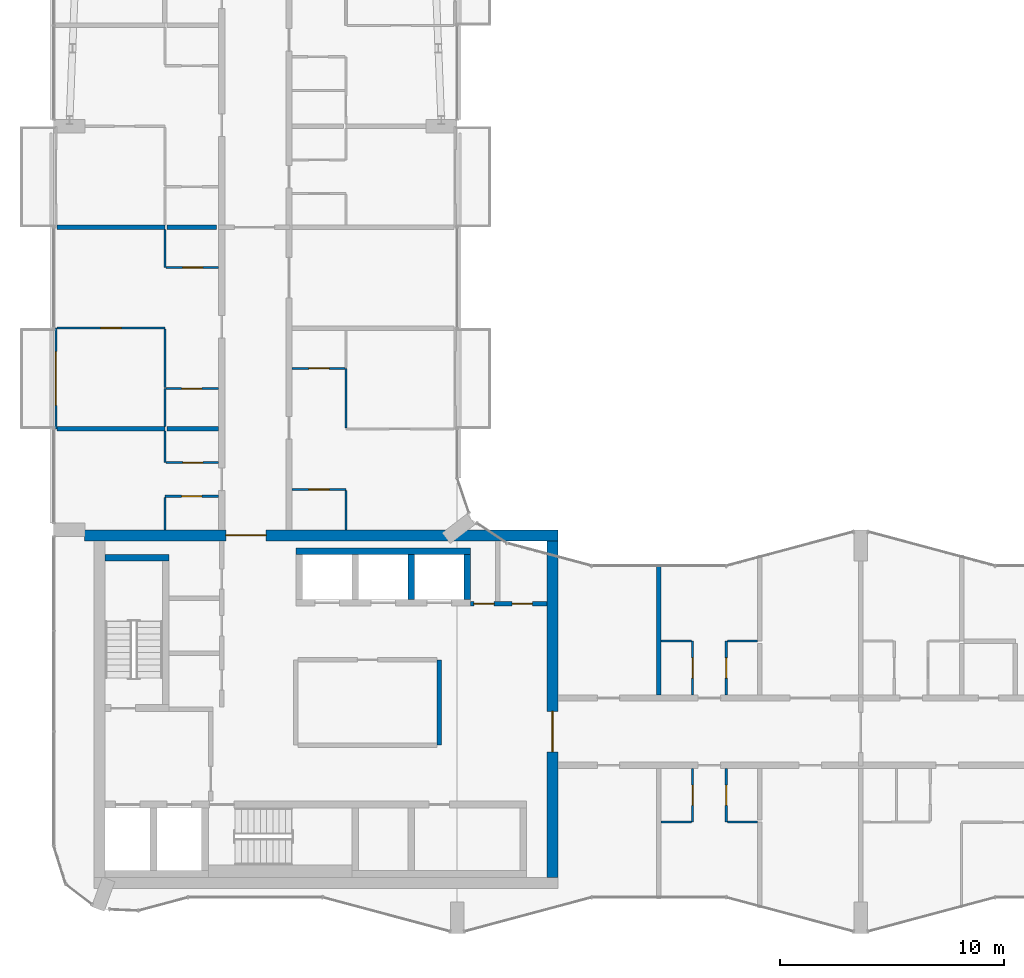
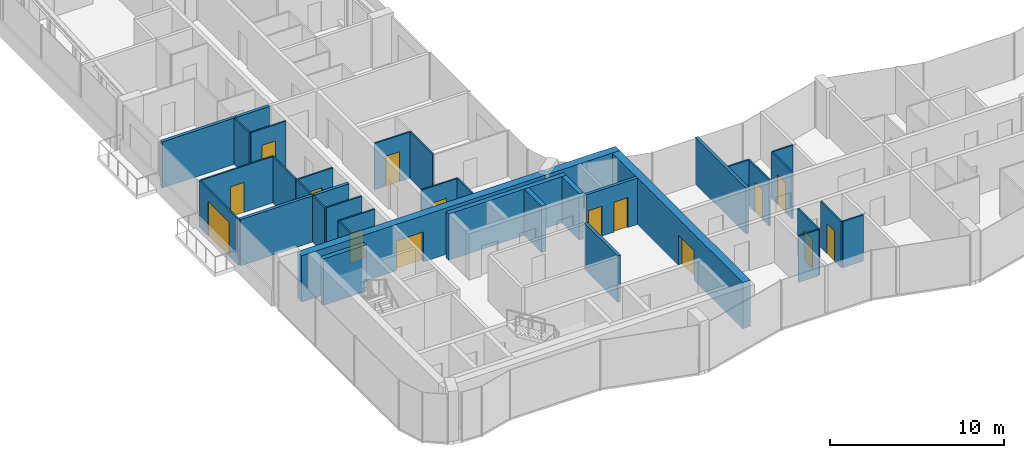
# One storey, part 10 of 17: 36 walls, 16 doors, 16 openings.
"""IFC4 building model written with IfcOpenShell, lengths in metres."""

from ifc_helpers import new_model, si_unit, direction, frame, frame_2d, origin, place, context, subcontext, project, spatial, rectangle, extrude, material, layer, layer_set, type_object, element, fill, save


model = new_model("IFC4")

# Units and contexts
model_context = context("Model", 3, precision=1e-05, world=origin(), true_north=direction((0.0, 1.0)))
body_context = subcontext(model_context, "Body", "Model", "MODEL_VIEW")
ifc_project = project(units=[si_unit("LENGTHUNIT", "METRE"), si_unit("AREAUNIT", "SQUARE_METRE"), si_unit("VOLUMEUNIT", "CUBIC_METRE"), si_unit("PLANEANGLEUNIT", "RADIAN"), si_unit("MASSUNIT", "GRAM", prefix="KILO")], contexts=[model_context])

# Site, building, storey
site_placement = place(None, origin())
site = spatial("IfcSite", under=ifc_project, at=site_placement, CompositionType="ELEMENT")
building_placement = place(site_placement, origin())
building = spatial("IfcBuilding", under=site, at=building_placement, Name="Plateau Cross Towers", CompositionType="ELEMENT")
storey_placement = place(building_placement, frame((0.0, 0.0, 222.39990234375)))
storey = spatial("IfcBuildingStorey", under=building, at=storey_placement, Name="L58", CompositionType="ELEMENT", Elevation=222.39990234375)

# Wall, opening, door
ifc_material_1 = material(Name="Aluminium framed glazing", Category="aluminium")
ifc_layer_1 = layer(ifc_material_1, 0.10009765625)
ifc_layer_set_1 = layer_set([ifc_layer_1], Name="Aluminium framed glazing")
wall_type_1 = type_object("IfcWallType", Name="Balcony screen wall 100", PredefinedType="STANDARD", material=ifc_layer_set_1)
wall_1_placement = place(storey_placement, frame((0.10009765625, 22.5, 0.0), z_axis=(0.0, 0.0, 1.0), x_axis=(0.0, 1.0, 0.0)))
wall_1 = element("IfcWall", 1, at=wall_1_placement, inside=storey, type_object=wall_type_1, Name="Balcony screen wall A-BAL-L58-01", PredefinedType="STANDARD", context=body_context, shape_type="SweptSolid", body=[
    extrude(rectangle(XDim=4.5, YDim=0.10009765625, at=frame_2d((2.25, 0.0))), origin(), (0.0, 0.0, 1.0), 3.25),
])
opening_1_placement = place(wall_1_placement, frame((1.050048828125, 0.0, 0.0)))
opening_1 = element("IfcOpeningElement", 2, at=opening_1_placement, cuts=wall_1, Name="Opening D-B24", PredefinedType="OPENING", context=body_context, shape_type="SweptSolid", body=[
    extrude(rectangle(XDim=2.39990234375, YDim=2.39990234375, at=frame_2d((1.199951171875, 1.199951171875))), frame((0.0, 0.06005859375, 0.0), z_axis=(0.0, -1.0, 0.0), x_axis=(1.0, 0.0, 0.0)), (0.0, 0.0, 1.0), 0.1201171875),
])
ifc_material_2 = material(Name="Aluminium frame, double glazing", Category="aluminium")
door_type_1 = type_object("IfcDoorType", Name="Balcony sliding door 2400", OperationType="NOTDEFINED", PredefinedType="DOOR", material=ifc_material_2)
door_1_placement = place(opening_1_placement, origin())
door_1 = element("IfcDoor", 3, at=door_1_placement, inside=storey, type_object=door_type_1, Name="Balcony door A-BAL-L58-01", OperationType="SINGLE_SWING_LEFT", OverallHeight=2.39990234375, OverallWidth=2.39990234375, PredefinedType="DOOR", context=body_context, shape_type="SweptSolid", body=[
    extrude(rectangle(XDim=2.39990234375, YDim=2.39990234375, at=frame_2d((1.199951171875, 1.199951171875))), frame((0.0, 0.02490234375, 0.0), z_axis=(0.0, -1.0, 0.0), x_axis=(1.0, 0.0, 0.0)), (0.0, 0.0, 1.0), 0.050048828125),
])
fill(opening_1, door_1)

# Wall
ifc_material_3 = material(Name="Concrete block, plastered both sides", Category="concrete")
ifc_layer_2 = layer(ifc_material_3, 0.199951171875)
ifc_layer_set_2 = layer_set([ifc_layer_2], Name="Concrete block, plastered both sides")
wall_type_2 = type_object("IfcWallType", Name="Core partition 200", PredefinedType="PARTITIONING", material=ifc_layer_set_2)
wall_2_placement = place(storey_placement, frame((17.199951171875, 8.39990234375, 0.0), z_axis=(0.0, 0.0, 1.0), x_axis=(0.0, 1.0, 0.0)))
element("IfcWall", 4, at=wall_2_placement, inside=storey, type_object=wall_type_2, Name="Core partition", PredefinedType="PARTITIONING", context=body_context, shape_type="SweptSolid", body=[
    extrude(rectangle(XDim=3.800048828125, YDim=0.199951171875, at=frame_2d((1.89990234375, 0.0))), origin(), (0.0, 0.0, 1.0), 3.25),
])

# Wall, openings, doors
wall_3_placement = place(storey_placement, frame((18.60009765625, 14.699951171875, 0.0), z_axis=(0.0, 0.0, 1.0), x_axis=(1.0, 0.0, 0.0)))
wall_3 = element("IfcWall", 5, at=wall_3_placement, inside=storey, type_object=wall_type_2, Name="Core partition", PredefinedType="PARTITIONING", context=body_context, shape_type="SweptSolid", body=[
    extrude(rectangle(XDim=3.39990234375, YDim=0.199951171875, at=frame_2d((1.699951171875, 0.0))), origin(), (0.0, 0.0, 1.0), 3.25),
])
opening_2_placement = place(wall_3_placement, frame((0.14990234375, 0.0, 0.0)))
opening_2 = element("IfcOpeningElement", 6, at=opening_2_placement, cuts=wall_3, Name="Opening RD2", PredefinedType="OPENING", context=body_context, shape_type="SweptSolid", body=[
    extrude(rectangle(XDim=0.89990234375, YDim=2.10009765625, at=frame_2d((0.449951171875, 1.050048828125))), frame((0.0, 0.10986328125, 0.0), z_axis=(0.0, -1.0, 0.0), x_axis=(1.0, 0.0, 0.0)), (0.0, 0.0, 1.0), 0.219970703125),
])
opening_3_placement = place(wall_3_placement, frame((1.85009765625, 0.0, 0.0)))
opening_3 = element("IfcOpeningElement", 7, at=opening_3_placement, cuts=wall_3, Name="Opening RD2", PredefinedType="OPENING", context=body_context, shape_type="SweptSolid", body=[
    extrude(rectangle(XDim=0.89990234375, YDim=2.10009765625, at=frame_2d((0.449951171875, 1.050048828125))), frame((0.0, 0.10986328125, 0.0), z_axis=(0.0, -1.0, 0.0), x_axis=(1.0, 0.0, 0.0)), (0.0, 0.0, 1.0), 0.219970703125),
])
ifc_material_4 = material(Name="Steel, fire-resisting leaf", Category="steel")
door_type_2 = type_object("IfcDoorType", Name="Core riser door 900", OperationType="NOTDEFINED", PredefinedType="DOOR", material=ifc_material_4)
door_2_placement = place(opening_2_placement, origin())
door_2 = element("IfcDoor", 8, at=door_2_placement, inside=storey, type_object=door_type_2, Name="Core riser door RD2", OperationType="SINGLE_SWING_LEFT", OverallHeight=2.10009765625, OverallWidth=0.89990234375, PredefinedType="DOOR", context=body_context, shape_type="SweptSolid", body=[
    extrude(rectangle(XDim=0.89990234375, YDim=2.10009765625, at=frame_2d((0.449951171875, 1.050048828125))), frame((0.0, 0.02490234375, 0.0), z_axis=(0.0, -1.0, 0.0), x_axis=(1.0, 0.0, 0.0)), (0.0, 0.0, 1.0), 0.050048828125),
])
fill(opening_2, door_2)
door_3_placement = place(opening_3_placement, origin())
door_3 = element("IfcDoor", 9, at=door_3_placement, inside=storey, type_object=door_type_2, Name="Core riser door RD2", OperationType="SINGLE_SWING_LEFT", OverallHeight=2.10009765625, OverallWidth=0.89990234375, PredefinedType="DOOR", context=body_context, shape_type="SweptSolid", body=[
    extrude(rectangle(XDim=0.89990234375, YDim=2.10009765625, at=frame_2d((0.449951171875, 1.050048828125))), frame((0.0, 0.02490234375, 0.0), z_axis=(0.0, -1.0, 0.0), x_axis=(1.0, 0.0, 0.0)), (0.0, 0.0, 1.0), 0.050048828125),
])
fill(opening_3, door_3)

# Walls
ifc_material_5 = material(Name="Concrete C60/75", Category="concrete")
ifc_layer_3 = layer(ifc_material_5, 0.300048828125)
ifc_layer_set_3 = layer_set([ifc_layer_3], Name="Concrete C60/75")
wall_type_3 = type_object("IfcWallType", Name="Core shaft wall 300", PredefinedType="SHEAR", material=ifc_layer_set_3)
wall_4_placement = place(storey_placement, frame((2.300048828125, 16.75, 0.0), z_axis=(0.0, 0.0, 1.0), x_axis=(1.0, 0.0, 0.0)))
element("IfcWall", 10, at=wall_4_placement, inside=storey, type_object=wall_type_3, Name="A-st1-N@L58", PredefinedType="SHEAR", context=body_context, shape_type="SweptSolid", body=[
    extrude(rectangle(XDim=2.849853515625, YDim=0.300048828125, at=frame_2d((1.4248046875, 0.0))), origin(), (0.0, 0.0, 1.0), 3.25),
])
wall_5_placement = place(storey_placement, frame((10.800048828125, 17.050048828125, 0.0), z_axis=(0.0, 0.0, 1.0), x_axis=(1.0, 0.0, 0.0)))
element("IfcWall", 11, at=wall_5_placement, inside=storey, type_object=wall_type_3, Name="A-nb-back@L58", PredefinedType="SHEAR", context=body_context, shape_type="SweptSolid", body=[
    extrude(rectangle(XDim=7.800048828125, YDim=0.300048828125, at=frame_2d((3.89990234375, 0.0))), origin(), (0.0, 0.0, 1.0), 3.25),
])
for number, where, z_axis, x_axis, name in (
    (12, (15.949951171875, 14.89990234375, 0.0), (0.0, 0.0, 1.0), (0.0, 1.0, 0.0), "A-nb-v3@L58"),
    (13, (18.449951171875, 14.89990234375, 0.0), (0.0, 0.0, 1.0), (0.0, 1.0, 0.0), "A-nb-v4@L58"),
):
    element("IfcWall", number, at=place(storey_placement, frame(where, z_axis=z_axis, x_axis=x_axis)), inside=storey, type_object=wall_type_3, Name=name, PredefinedType="SHEAR", context=body_context, shape_type="SweptSolid", body=[
        extrude(rectangle(XDim=2.0, YDim=0.300048828125, at=frame_2d((1.0, 0.0))), origin(), (0.0, 0.0, 1.0), 3.25),
    ])

# Wall, opening, door
ifc_layer_4 = layer(ifc_material_5, 0.5)
ifc_layer_set_4 = layer_set([ifc_layer_4], Name="Concrete C60/75")
wall_type_4 = type_object("IfcWallType", Name="Core shell wall 500", PredefinedType="SHEAR", material=ifc_layer_set_4)
wall_6_placement = place(storey_placement, frame((1.3798828125, 17.75, 0.0), z_axis=(0.0, 0.0, 1.0), x_axis=(1.0, 0.0, 0.0)))
wall_6 = element("IfcWall", 14, at=wall_6_placement, inside=storey, type_object=wall_type_4, Name="A-core-N@L58", PredefinedType="SHEAR", context=body_context, shape_type="SweptSolid", body=[
    extrude(rectangle(XDim=21.1201171875, YDim=0.5, at=frame_2d((10.56005859375, 0.0))), origin(), (0.0, 0.0, 1.0), 3.25),
])
opening_4_placement = place(wall_6_placement, frame((6.300048828125, 0.0, 0.0)))
opening_4 = element("IfcOpeningElement", 15, at=opening_4_placement, cuts=wall_6, Name="Opening CD", PredefinedType="OPENING", context=body_context, shape_type="SweptSolid", body=[
    extrude(rectangle(XDim=1.800048828125, YDim=2.10009765625, at=frame_2d((0.89990234375, 1.050048828125))), frame((0.0, 0.260009765625, 0.0), z_axis=(0.0, -1.0, 0.0), x_axis=(1.0, 0.0, 0.0)), (0.0, 0.0, 1.0), 0.52001953125),
])
ifc_material_6 = material(Name="Steel, fire-resisting leaves", Category="steel")
door_type_3 = type_object("IfcDoorType", Name="Corridor door pair 1800", OperationType="NOTDEFINED", PredefinedType="DOOR", material=ifc_material_6)
door_4_placement = place(opening_4_placement, origin())
door_4 = element("IfcDoor", 16, at=door_4_placement, inside=storey, type_object=door_type_3, Name="Corridor door pair CD", OperationType="DOUBLE_DOOR_SINGLE_SWING", OverallHeight=2.10009765625, OverallWidth=1.800048828125, PredefinedType="DOOR", context=body_context, shape_type="SweptSolid", body=[
    extrude(rectangle(XDim=1.800048828125, YDim=2.10009765625, at=frame_2d((0.89990234375, 1.050048828125))), frame((0.0, 0.02490234375, 0.0), z_axis=(0.0, -1.0, 0.0), x_axis=(1.0, 0.0, 0.0)), (0.0, 0.0, 1.0), 0.050048828125),
])
fill(opening_4, door_4)

wall_7_placement = place(storey_placement, frame((22.25, 2.5, 0.0), z_axis=(0.0, 0.0, 1.0), x_axis=(0.0, 1.0, 0.0)))
wall_7 = element("IfcWall", 17, at=wall_7_placement, inside=storey, type_object=wall_type_4, Name="A-core-E@L58", PredefinedType="SHEAR", context=body_context, shape_type="SweptSolid", body=[
    extrude(rectangle(XDim=15.0, YDim=0.5, at=frame_2d((7.5, 0.0))), origin(), (0.0, 0.0, 1.0), 3.25),
])
opening_5_placement = place(wall_7_placement, frame((5.60009765625, 0.0, 0.0)))
opening_5 = element("IfcOpeningElement", 18, at=opening_5_placement, cuts=wall_7, Name="Opening CD", PredefinedType="OPENING", context=body_context, shape_type="SweptSolid", body=[
    extrude(rectangle(XDim=1.800048828125, YDim=2.10009765625, at=frame_2d((0.89990234375, 1.050048828125))), frame((0.0, 0.260009765625, 0.0), z_axis=(0.0, -1.0, 0.0), x_axis=(1.0, 0.0, 0.0)), (0.0, 0.0, 1.0), 0.52001953125),
])
door_5_placement = place(opening_5_placement, origin())
door_5 = element("IfcDoor", 19, at=door_5_placement, inside=storey, type_object=door_type_3, Name="Corridor door pair CD", OperationType="DOUBLE_DOOR_SINGLE_SWING", OverallHeight=2.10009765625, OverallWidth=1.800048828125, PredefinedType="DOOR", context=body_context, shape_type="SweptSolid", body=[
    extrude(rectangle(XDim=1.800048828125, YDim=2.10009765625, at=frame_2d((0.89990234375, 1.050048828125))), frame((0.0, 0.02490234375, 0.0), z_axis=(0.0, -1.0, 0.0), x_axis=(1.0, 0.0, 0.0)), (0.0, 0.0, 1.0), 0.050048828125),
])
fill(opening_5, door_5)

# Walls
ifc_material_7 = material(Name="Gypsum board on steel studs", Category="steel")
ifc_layer_5 = layer(ifc_material_7, 0.10009765625)
ifc_layer_set_5 = layer_set([ifc_layer_5], Name="Gypsum board on steel studs")
wall_type_5 = type_object("IfcWallType", Name="Flat partition 100", PredefinedType="PARTITIONING", material=ifc_layer_set_5)
for number, where, z_axis, x_axis, name in (
    (20, (27.10009765625, 4.96240234375, 0.0), (0.0, 0.0, 1.0), (1.0, 0.0, 0.0), "Partition wall"),
    (21, (30.050048828125, 4.96240234375, 0.0), (0.0, 0.0, 1.0), (1.0, 0.0, 0.0), "Partition wall"),
    (22, (28.449951171875, 13.03759765625, 0.0), (0.0, 0.0, 1.0), (-1.0, 0.0, 0.0), "Partition wall"),
    (23, (31.39990234375, 13.03759765625, 0.0), (0.0, 0.0, 1.0), (-1.0, 0.0, 0.0), "Partition wall"),
):
    element("IfcWall", number, at=place(storey_placement, frame(where, z_axis=z_axis, x_axis=x_axis)), inside=storey, type_object=wall_type_5, Name=name, PredefinedType="PARTITIONING", context=body_context, shape_type="SweptSolid", body=[
        extrude(rectangle(XDim=1.349853515625, YDim=0.10009765625, at=frame_2d((0.6748046875, 0.0))), origin(), (0.0, 0.0, 1.0), 3.25),
    ])

# Wall, opening, door
wall_8_placement = place(storey_placement, frame((7.362548828125, 19.5, 0.0), z_axis=(0.0, 0.0, 1.0), x_axis=(-1.0, 0.0, 0.0)))
wall_8 = element("IfcWall", 24, at=wall_8_placement, inside=storey, type_object=wall_type_5, Name="Partition wall", PredefinedType="PARTITIONING", context=body_context, shape_type="SweptSolid", body=[
    extrude(rectangle(XDim=2.400146484375, YDim=0.10009765625, at=frame_2d((1.2001953125, 0.0))), origin(), (0.0, 0.0, 1.0), 3.25),
])
opening_6_placement = place(wall_8_placement, frame((0.75, 0.0, 0.0)))
opening_6 = element("IfcOpeningElement", 25, at=opening_6_placement, cuts=wall_8, Name="Opening 58-35", PredefinedType="OPENING", context=body_context, shape_type="SweptSolid", body=[
    extrude(rectangle(XDim=0.89990234375, YDim=2.10009765625, at=frame_2d((0.449951171875, 1.050048828125))), frame((0.0, 0.06005859375, 0.0), z_axis=(0.0, -1.0, 0.0), x_axis=(1.0, 0.0, 0.0)), (0.0, 0.0, 1.0), 0.1201171875),
])
ifc_material_8 = material(Name="Timber leaf", Category="wood")
door_type_4 = type_object("IfcDoorType", Name="Flat room door 900", OperationType="NOTDEFINED", PredefinedType="DOOR", material=ifc_material_8)
door_6_placement = place(opening_6_placement, origin())
door_6 = element("IfcDoor", 26, at=door_6_placement, inside=storey, type_object=door_type_4, Name="Door 58-35", OperationType="SINGLE_SWING_RIGHT", OverallHeight=2.10009765625, OverallWidth=0.89990234375, PredefinedType="DOOR", context=body_context, shape_type="SweptSolid", body=[
    extrude(rectangle(XDim=0.89990234375, YDim=2.10009765625, at=frame_2d((0.449951171875, 1.050048828125))), frame((0.0, 0.02490234375, 0.0), z_axis=(0.0, -1.0, 0.0), x_axis=(1.0, 0.0, 0.0)), (0.0, 0.0, 1.0), 0.050048828125),
])
fill(opening_6, door_6)

wall_9_placement = place(storey_placement, frame((13.03759765625, 19.800048828125, 0.0), z_axis=(0.0, 0.0, 1.0), x_axis=(-1.0, 0.0, 0.0)))
wall_9 = element("IfcWall", 27, at=wall_9_placement, inside=storey, type_object=wall_type_5, Name="Partition wall", PredefinedType="PARTITIONING", context=body_context, shape_type="SweptSolid", body=[
    extrude(rectangle(XDim=2.400146484375, YDim=0.10009765625, at=frame_2d((1.2001953125, 0.0))), origin(), (0.0, 0.0, 1.0), 3.25),
])
opening_7_placement = place(wall_9_placement, frame((0.75, 0.0, 0.0)))
opening_7 = element("IfcOpeningElement", 28, at=opening_7_placement, cuts=wall_9, Name="Opening 58-43", PredefinedType="OPENING", context=body_context, shape_type="SweptSolid", body=[
    extrude(rectangle(XDim=0.89990234375, YDim=2.10009765625, at=frame_2d((0.449951171875, 1.050048828125))), frame((0.0, 0.06005859375, 0.0), z_axis=(0.0, -1.0, 0.0), x_axis=(1.0, 0.0, 0.0)), (0.0, 0.0, 1.0), 0.1201171875),
])
door_7_placement = place(opening_7_placement, origin())
door_7 = element("IfcDoor", 29, at=door_7_placement, inside=storey, type_object=door_type_4, Name="Door 58-43", OperationType="SINGLE_SWING_LEFT", OverallHeight=2.10009765625, OverallWidth=0.89990234375, PredefinedType="DOOR", context=body_context, shape_type="SweptSolid", body=[
    extrude(rectangle(XDim=0.89990234375, YDim=2.10009765625, at=frame_2d((0.449951171875, 1.050048828125))), frame((0.0, 0.02490234375, 0.0), z_axis=(0.0, -1.0, 0.0), x_axis=(1.0, 0.0, 0.0)), (0.0, 0.0, 1.0), 0.050048828125),
])
fill(opening_7, door_7)

wall_10_placement = place(storey_placement, frame((5.012451171875, 21.0, 0.0), z_axis=(0.0, 0.0, 1.0), x_axis=(1.0, 0.0, 0.0)))
wall_10 = element("IfcWall", 30, at=wall_10_placement, inside=storey, type_object=wall_type_5, Name="Partition wall", PredefinedType="PARTITIONING", context=body_context, shape_type="SweptSolid", body=[
    extrude(rectangle(XDim=2.35009765625, YDim=0.10009765625, at=frame_2d((1.175048828125, 0.0))), origin(), (0.0, 0.0, 1.0), 3.25),
])
opening_8_placement = place(wall_10_placement, frame((0.75, 0.0, 0.0)))
opening_8 = element("IfcOpeningElement", 31, at=opening_8_placement, cuts=wall_10, Name="Opening 58-36", PredefinedType="OPENING", context=body_context, shape_type="SweptSolid", body=[
    extrude(rectangle(XDim=0.89990234375, YDim=2.10009765625, at=frame_2d((0.449951171875, 1.050048828125))), frame((0.0, 0.06005859375, 0.0), z_axis=(0.0, -1.0, 0.0), x_axis=(1.0, 0.0, 0.0)), (0.0, 0.0, 1.0), 0.1201171875),
])
door_8_placement = place(opening_8_placement, origin())
door_8 = element("IfcDoor", 32, at=door_8_placement, inside=storey, type_object=door_type_4, Name="Door 58-36", OperationType="SINGLE_SWING_RIGHT", OverallHeight=2.10009765625, OverallWidth=0.89990234375, PredefinedType="DOOR", context=body_context, shape_type="SweptSolid", body=[
    extrude(rectangle(XDim=0.89990234375, YDim=2.10009765625, at=frame_2d((0.449951171875, 1.050048828125))), frame((0.0, 0.02490234375, 0.0), z_axis=(0.0, -1.0, 0.0), x_axis=(1.0, 0.0, 0.0)), (0.0, 0.0, 1.0), 0.050048828125),
])
fill(opening_8, door_8)

wall_11_placement = place(storey_placement, frame((7.362548828125, 24.300048828125, 0.0), z_axis=(0.0, 0.0, 1.0), x_axis=(-1.0, 0.0, 0.0)))
wall_11 = element("IfcWall", 33, at=wall_11_placement, inside=storey, type_object=wall_type_5, Name="Partition wall", PredefinedType="PARTITIONING", context=body_context, shape_type="SweptSolid", body=[
    extrude(rectangle(XDim=2.35009765625, YDim=0.10009765625, at=frame_2d((1.175048828125, 0.0))), origin(), (0.0, 0.0, 1.0), 3.25),
])
opening_9_placement = place(wall_11_placement, frame((0.75, 0.0, 0.0)))
opening_9 = element("IfcOpeningElement", 34, at=opening_9_placement, cuts=wall_11, Name="Opening 58-37", PredefinedType="OPENING", context=body_context, shape_type="SweptSolid", body=[
    extrude(rectangle(XDim=0.89990234375, YDim=2.10009765625, at=frame_2d((0.449951171875, 1.050048828125))), frame((0.0, 0.06005859375, 0.0), z_axis=(0.0, -1.0, 0.0), x_axis=(1.0, 0.0, 0.0)), (0.0, 0.0, 1.0), 0.1201171875),
])
door_9_placement = place(opening_9_placement, origin())
door_9 = element("IfcDoor", 35, at=door_9_placement, inside=storey, type_object=door_type_4, Name="Door 58-37", OperationType="SINGLE_SWING_RIGHT", OverallHeight=2.10009765625, OverallWidth=0.89990234375, PredefinedType="DOOR", context=body_context, shape_type="SweptSolid", body=[
    extrude(rectangle(XDim=0.89990234375, YDim=2.10009765625, at=frame_2d((0.449951171875, 1.050048828125))), frame((0.0, 0.02490234375, 0.0), z_axis=(0.0, -1.0, 0.0), x_axis=(1.0, 0.0, 0.0)), (0.0, 0.0, 1.0), 0.050048828125),
])
fill(opening_9, door_9)

wall_12_placement = place(storey_placement, frame((10.637451171875, 25.199951171875, 0.0), z_axis=(0.0, 0.0, 1.0), x_axis=(1.0, 0.0, 0.0)))
wall_12 = element("IfcWall", 36, at=wall_12_placement, inside=storey, type_object=wall_type_5, Name="Partition wall", PredefinedType="PARTITIONING", context=body_context, shape_type="SweptSolid", body=[
    extrude(rectangle(XDim=2.35009765625, YDim=0.10009765625, at=frame_2d((1.175048828125, 0.0))), origin(), (0.0, 0.0, 1.0), 3.25),
])
opening_10_placement = place(wall_12_placement, frame((0.75, 0.0, 0.0)))
opening_10 = element("IfcOpeningElement", 37, at=opening_10_placement, cuts=wall_12, Name="Opening 58-44", PredefinedType="OPENING", context=body_context, shape_type="SweptSolid", body=[
    extrude(rectangle(XDim=0.89990234375, YDim=2.10009765625, at=frame_2d((0.449951171875, 1.050048828125))), frame((0.0, 0.06005859375, 0.0), z_axis=(0.0, -1.0, 0.0), x_axis=(1.0, 0.0, 0.0)), (0.0, 0.0, 1.0), 0.1201171875),
])
door_10_placement = place(opening_10_placement, origin())
door_10 = element("IfcDoor", 38, at=door_10_placement, inside=storey, type_object=door_type_4, Name="Door 58-44", OperationType="SINGLE_SWING_RIGHT", OverallHeight=2.10009765625, OverallWidth=0.89990234375, PredefinedType="DOOR", context=body_context, shape_type="SweptSolid", body=[
    extrude(rectangle(XDim=0.89990234375, YDim=2.10009765625, at=frame_2d((0.449951171875, 1.050048828125))), frame((0.0, 0.02490234375, 0.0), z_axis=(0.0, -1.0, 0.0), x_axis=(1.0, 0.0, 0.0)), (0.0, 0.0, 1.0), 0.050048828125),
])
fill(opening_10, door_10)

wall_13_placement = place(storey_placement, frame((4.96240234375, 27.0, 0.0), z_axis=(0.0, 0.0, 1.0), x_axis=(-1.0, 0.0, 0.0)))
wall_13 = element("IfcWall", 39, at=wall_13_placement, inside=storey, type_object=wall_type_5, Name="Partition wall", PredefinedType="PARTITIONING", context=body_context, shape_type="SweptSolid", body=[
    extrude(rectangle(XDim=4.8125, YDim=0.10009765625, at=frame_2d((2.40625, 0.0))), origin(), (0.0, 0.0, 1.0), 3.25),
])
opening_11_placement = place(wall_13_placement, frame((1.949951171875, 0.0, 0.0)))
opening_11 = element("IfcOpeningElement", 40, at=opening_11_placement, cuts=wall_13, Name="Opening 58-39", PredefinedType="OPENING", context=body_context, shape_type="SweptSolid", body=[
    extrude(rectangle(XDim=0.89990234375, YDim=2.10009765625, at=frame_2d((0.449951171875, 1.050048828125))), frame((0.0, 0.06005859375, 0.0), z_axis=(0.0, -1.0, 0.0), x_axis=(1.0, 0.0, 0.0)), (0.0, 0.0, 1.0), 0.1201171875),
])
door_11_placement = place(opening_11_placement, origin())
door_11 = element("IfcDoor", 41, at=door_11_placement, inside=storey, type_object=door_type_4, Name="Door 58-39", OperationType="SINGLE_SWING_LEFT", OverallHeight=2.10009765625, OverallWidth=0.89990234375, PredefinedType="DOOR", context=body_context, shape_type="SweptSolid", body=[
    extrude(rectangle(XDim=0.89990234375, YDim=2.10009765625, at=frame_2d((0.449951171875, 1.050048828125))), frame((0.0, 0.02490234375, 0.0), z_axis=(0.0, -1.0, 0.0), x_axis=(1.0, 0.0, 0.0)), (0.0, 0.0, 1.0), 0.050048828125),
])
fill(opening_11, door_11)

wall_14_placement = place(storey_placement, frame((5.012451171875, 29.699951171875, 0.0), z_axis=(0.0, 0.0, 1.0), x_axis=(1.0, 0.0, 0.0)))
wall_14 = element("IfcWall", 42, at=wall_14_placement, inside=storey, type_object=wall_type_5, Name="Partition wall", PredefinedType="PARTITIONING", context=body_context, shape_type="SweptSolid", body=[
    extrude(rectangle(XDim=2.35009765625, YDim=0.10009765625, at=frame_2d((1.175048828125, 0.0))), origin(), (0.0, 0.0, 1.0), 3.25),
])
opening_12_placement = place(wall_14_placement, frame((0.75, 0.0, 0.0)))
opening_12 = element("IfcOpeningElement", 43, at=opening_12_placement, cuts=wall_14, Name="Opening 58-38", PredefinedType="OPENING", context=body_context, shape_type="SweptSolid", body=[
    extrude(rectangle(XDim=0.89990234375, YDim=2.10009765625, at=frame_2d((0.449951171875, 1.050048828125))), frame((0.0, 0.06005859375, 0.0), z_axis=(0.0, -1.0, 0.0), x_axis=(1.0, 0.0, 0.0)), (0.0, 0.0, 1.0), 0.1201171875),
])
door_12_placement = place(opening_12_placement, origin())
door_12 = element("IfcDoor", 44, at=door_12_placement, inside=storey, type_object=door_type_4, Name="Door 58-38", OperationType="SINGLE_SWING_RIGHT", OverallHeight=2.10009765625, OverallWidth=0.89990234375, PredefinedType="DOOR", context=body_context, shape_type="SweptSolid", body=[
    extrude(rectangle(XDim=0.89990234375, YDim=2.10009765625, at=frame_2d((0.449951171875, 1.050048828125))), frame((0.0, 0.02490234375, 0.0), z_axis=(0.0, -1.0, 0.0), x_axis=(1.0, 0.0, 0.0)), (0.0, 0.0, 1.0), 0.050048828125),
])
fill(opening_12, door_12)

# Walls
wall_15_placement = place(storey_placement, frame((4.96240234375, 19.449951171875, 0.0), z_axis=(0.0, 0.0, 1.0), x_axis=(0.0, -1.0, 0.0)))
element("IfcWall", 45, at=wall_15_placement, inside=storey, type_object=wall_type_5, Name="Partition wall", PredefinedType="PARTITIONING", context=body_context, shape_type="SweptSolid", body=[
    extrude(rectangle(XDim=1.449951171875, YDim=0.10009765625, at=frame_2d((0.72509765625, 0.0))), origin(), (0.0, 0.0, 1.0), 3.25),
])
wall_16_placement = place(storey_placement, frame((4.96240234375, 22.39990234375, 0.0), z_axis=(0.0, 0.0, 1.0), x_axis=(0.0, -1.0, 0.0)))
element("IfcWall", 46, at=wall_16_placement, inside=storey, type_object=wall_type_5, Name="Partition wall", PredefinedType="PARTITIONING", context=body_context, shape_type="SweptSolid", body=[
    extrude(rectangle(XDim=1.39990234375, YDim=0.10009765625, at=frame_2d((0.699951171875, 0.0))), origin(), (0.0, 0.0, 1.0), 3.25),
])
for number, where, z_axis, x_axis, name in (
    (47, (4.96240234375, 24.300048828125, 0.0), (0.0, 0.0, 1.0), (0.0, -1.0, 0.0), "Partition wall"),
    (48, (4.96240234375, 31.39990234375, 0.0), (0.0, 0.0, 1.0), (0.0, -1.0, 0.0), "Partition wall"),
):
    element("IfcWall", number, at=place(storey_placement, frame(where, z_axis=z_axis, x_axis=x_axis)), inside=storey, type_object=wall_type_5, Name=name, PredefinedType="PARTITIONING", context=body_context, shape_type="SweptSolid", body=[
        extrude(rectangle(XDim=1.699951171875, YDim=0.10009765625, at=frame_2d((0.85009765625, 0.0))), origin(), (0.0, 0.0, 1.0), 3.25),
    ])
wall_17_placement = place(storey_placement, frame((4.96240234375, 24.35009765625, 0.0), z_axis=(0.0, 0.0, 1.0), x_axis=(0.0, 1.0, 0.0)))
element("IfcWall", 49, at=wall_17_placement, inside=storey, type_object=wall_type_5, Name="Partition wall", PredefinedType="PARTITIONING", context=body_context, shape_type="SweptSolid", body=[
    extrude(rectangle(XDim=2.599853515625, YDim=0.10009765625, at=frame_2d((1.2998046875, 0.0))), origin(), (0.0, 0.0, 1.0), 3.25),
])
wall_18_placement = place(storey_placement, frame((13.03759765625, 25.199951171875, 0.0), z_axis=(0.0, 0.0, 1.0), x_axis=(0.0, -1.0, 0.0)))
element("IfcWall", 50, at=wall_18_placement, inside=storey, type_object=wall_type_5, Name="Partition wall", PredefinedType="PARTITIONING", context=body_context, shape_type="SweptSolid", body=[
    extrude(rectangle(XDim=2.64990234375, YDim=0.10009765625, at=frame_2d((1.324951171875, 0.0))), origin(), (0.0, 0.0, 1.0), 3.25),
])
wall_19_placement = place(storey_placement, frame((13.03759765625, 18.0, 0.0), z_axis=(0.0, 0.0, 1.0), x_axis=(0.0, 1.0, 0.0)))
element("IfcWall", 51, at=wall_19_placement, inside=storey, type_object=wall_type_5, Name="Partition wall", PredefinedType="PARTITIONING", context=body_context, shape_type="SweptSolid", body=[
    extrude(rectangle(XDim=1.75, YDim=0.10009765625, at=frame_2d((0.875, 0.0))), origin(), (0.0, 0.0, 1.0), 3.25),
])

# Wall, opening, door
wall_20_placement = place(storey_placement, frame((28.5, 4.96240234375, 0.0), z_axis=(0.0, 0.0, 1.0), x_axis=(0.0, 1.0, 0.0)))
wall_20 = element("IfcWall", 52, at=wall_20_placement, inside=storey, type_object=wall_type_5, Name="Partition wall", PredefinedType="PARTITIONING", context=body_context, shape_type="SweptSolid", body=[
    extrude(rectangle(XDim=2.400146484375, YDim=0.10009765625, at=frame_2d((1.2001953125, 0.0))), origin(), (0.0, 0.0, 1.0), 3.25),
])
opening_13_placement = place(wall_20_placement, frame((0.75, 0.0, 0.0)))
opening_13 = element("IfcOpeningElement", 53, at=opening_13_placement, cuts=wall_20, Name="Opening 58-24", PredefinedType="OPENING", context=body_context, shape_type="SweptSolid", body=[
    extrude(rectangle(XDim=0.89990234375, YDim=2.10009765625, at=frame_2d((0.449951171875, 1.050048828125))), frame((0.0, 0.06005859375, 0.0), z_axis=(0.0, -1.0, 0.0), x_axis=(1.0, 0.0, 0.0)), (0.0, 0.0, 1.0), 0.1201171875),
])
door_13_placement = place(opening_13_placement, origin())
door_13 = element("IfcDoor", 54, at=door_13_placement, inside=storey, type_object=door_type_4, Name="Door 58-24", OperationType="SINGLE_SWING_RIGHT", OverallHeight=2.10009765625, OverallWidth=0.89990234375, PredefinedType="DOOR", context=body_context, shape_type="SweptSolid", body=[
    extrude(rectangle(XDim=0.89990234375, YDim=2.10009765625, at=frame_2d((0.449951171875, 1.050048828125))), frame((0.0, 0.02490234375, 0.0), z_axis=(0.0, -1.0, 0.0), x_axis=(1.0, 0.0, 0.0)), (0.0, 0.0, 1.0), 0.050048828125),
])
fill(opening_13, door_13)

wall_21_placement = place(storey_placement, frame((28.5, 10.637451171875, 0.0), z_axis=(0.0, 0.0, 1.0), x_axis=(0.0, 1.0, 0.0)))
wall_21 = element("IfcWall", 55, at=wall_21_placement, inside=storey, type_object=wall_type_5, Name="Partition wall", PredefinedType="PARTITIONING", context=body_context, shape_type="SweptSolid", body=[
    extrude(rectangle(XDim=2.400146484375, YDim=0.10009765625, at=frame_2d((1.2001953125, 0.0))), origin(), (0.0, 0.0, 1.0), 3.25),
])
opening_14_placement = place(wall_21_placement, frame((0.75, 0.0, 0.0)))
opening_14 = element("IfcOpeningElement", 56, at=opening_14_placement, cuts=wall_21, Name="Opening 58-31", PredefinedType="OPENING", context=body_context, shape_type="SweptSolid", body=[
    extrude(rectangle(XDim=0.89990234375, YDim=2.10009765625, at=frame_2d((0.449951171875, 1.050048828125))), frame((0.0, 0.06005859375, 0.0), z_axis=(0.0, -1.0, 0.0), x_axis=(1.0, 0.0, 0.0)), (0.0, 0.0, 1.0), 0.1201171875),
])
door_14_placement = place(opening_14_placement, origin())
door_14 = element("IfcDoor", 57, at=door_14_placement, inside=storey, type_object=door_type_4, Name="Door 58-31", OperationType="SINGLE_SWING_LEFT", OverallHeight=2.10009765625, OverallWidth=0.89990234375, PredefinedType="DOOR", context=body_context, shape_type="SweptSolid", body=[
    extrude(rectangle(XDim=0.89990234375, YDim=2.10009765625, at=frame_2d((0.449951171875, 1.050048828125))), frame((0.0, 0.02490234375, 0.0), z_axis=(0.0, -1.0, 0.0), x_axis=(1.0, 0.0, 0.0)), (0.0, 0.0, 1.0), 0.050048828125),
])
fill(opening_14, door_14)

wall_22_placement = place(storey_placement, frame((30.0, 7.362548828125, 0.0), z_axis=(0.0, 0.0, 1.0), x_axis=(0.0, -1.0, 0.0)))
wall_22 = element("IfcWall", 58, at=wall_22_placement, inside=storey, type_object=wall_type_5, Name="Partition wall", PredefinedType="PARTITIONING", context=body_context, shape_type="SweptSolid", body=[
    extrude(rectangle(XDim=2.400146484375, YDim=0.10009765625, at=frame_2d((1.2001953125, 0.0))), origin(), (0.0, 0.0, 1.0), 3.25),
])
opening_15_placement = place(wall_22_placement, frame((0.75, 0.0, 0.0)))
opening_15 = element("IfcOpeningElement", 59, at=opening_15_placement, cuts=wall_22, Name="Opening 58-25", PredefinedType="OPENING", context=body_context, shape_type="SweptSolid", body=[
    extrude(rectangle(XDim=0.89990234375, YDim=2.10009765625, at=frame_2d((0.449951171875, 1.050048828125))), frame((0.0, 0.06005859375, 0.0), z_axis=(0.0, -1.0, 0.0), x_axis=(1.0, 0.0, 0.0)), (0.0, 0.0, 1.0), 0.1201171875),
])
door_15_placement = place(opening_15_placement, origin())
door_15 = element("IfcDoor", 60, at=door_15_placement, inside=storey, type_object=door_type_4, Name="Door 58-25", OperationType="SINGLE_SWING_RIGHT", OverallHeight=2.10009765625, OverallWidth=0.89990234375, PredefinedType="DOOR", context=body_context, shape_type="SweptSolid", body=[
    extrude(rectangle(XDim=0.89990234375, YDim=2.10009765625, at=frame_2d((0.449951171875, 1.050048828125))), frame((0.0, 0.02490234375, 0.0), z_axis=(0.0, -1.0, 0.0), x_axis=(1.0, 0.0, 0.0)), (0.0, 0.0, 1.0), 0.050048828125),
])
fill(opening_15, door_15)

wall_23_placement = place(storey_placement, frame((30.0, 13.03759765625, 0.0), z_axis=(0.0, 0.0, 1.0), x_axis=(0.0, -1.0, 0.0)))
wall_23 = element("IfcWall", 61, at=wall_23_placement, inside=storey, type_object=wall_type_5, Name="Partition wall", PredefinedType="PARTITIONING", context=body_context, shape_type="SweptSolid", body=[
    extrude(rectangle(XDim=2.400146484375, YDim=0.10009765625, at=frame_2d((1.2001953125, 0.0))), origin(), (0.0, 0.0, 1.0), 3.25),
])
opening_16_placement = place(wall_23_placement, frame((0.75, 0.0, 0.0)))
opening_16 = element("IfcOpeningElement", 62, at=opening_16_placement, cuts=wall_23, Name="Opening 58-32", PredefinedType="OPENING", context=body_context, shape_type="SweptSolid", body=[
    extrude(rectangle(XDim=0.89990234375, YDim=2.10009765625, at=frame_2d((0.449951171875, 1.050048828125))), frame((0.0, 0.06005859375, 0.0), z_axis=(0.0, -1.0, 0.0), x_axis=(1.0, 0.0, 0.0)), (0.0, 0.0, 1.0), 0.1201171875),
])
door_16_placement = place(opening_16_placement, origin())
door_16 = element("IfcDoor", 63, at=door_16_placement, inside=storey, type_object=door_type_4, Name="Door 58-32", OperationType="SINGLE_SWING_LEFT", OverallHeight=2.10009765625, OverallWidth=0.89990234375, PredefinedType="DOOR", context=body_context, shape_type="SweptSolid", body=[
    extrude(rectangle(XDim=0.89990234375, YDim=2.10009765625, at=frame_2d((0.449951171875, 1.050048828125))), frame((0.0, 0.02490234375, 0.0), z_axis=(0.0, -1.0, 0.0), x_axis=(1.0, 0.0, 0.0)), (0.0, 0.0, 1.0), 0.050048828125),
])
fill(opening_16, door_16)

# Walls
ifc_material_9 = material(Name="Gypsum board on steel studs, two layers each side", Category="steel")
ifc_layer_6 = layer(ifc_material_9, 0.199951171875)
ifc_layer_set_6 = layer_set([ifc_layer_6], Name="Gypsum board on steel studs, two layers each side")
wall_type_6 = type_object("IfcWallType", Name="Flat party wall 200", PredefinedType="PARTITIONING", material=ifc_layer_set_6)
wall_24_placement = place(storey_placement, frame((7.362548828125, 22.5, 0.0), z_axis=(0.0, 0.0, 1.0), x_axis=(-1.0, 0.0, 0.0)))
element("IfcWall", 64, at=wall_24_placement, inside=storey, type_object=wall_type_6, Name="Party wall", PredefinedType="PARTITIONING", context=body_context, shape_type="SweptSolid", body=[
    extrude(rectangle(XDim=2.300048828125, YDim=0.199951171875, at=frame_2d((1.14990234375, 0.0))), origin(), (0.0, 0.0, 1.0), 3.25),
])
wall_25_placement = place(storey_placement, frame((0.14990234375, 22.5, 0.0), z_axis=(0.0, 0.0, 1.0), x_axis=(1.0, 0.0, 0.0)))
element("IfcWall", 65, at=wall_25_placement, inside=storey, type_object=wall_type_6, Name="Party wall", PredefinedType="PARTITIONING", context=body_context, shape_type="SweptSolid", body=[
    extrude(rectangle(XDim=4.8125, YDim=0.199951171875, at=frame_2d((2.40625, 0.0))), origin(), (0.0, 0.0, 1.0), 3.25),
])
wall_26_placement = place(storey_placement, frame((7.262451171875, 31.5, 0.0), z_axis=(0.0, 0.0, 1.0), x_axis=(-1.0, 0.0, 0.0)))
element("IfcWall", 66, at=wall_26_placement, inside=storey, type_object=wall_type_6, Name="Party wall", PredefinedType="PARTITIONING", context=body_context, shape_type="SweptSolid", body=[
    extrude(rectangle(XDim=2.199951171875, YDim=0.199951171875, at=frame_2d((1.10009765625, 0.0))), origin(), (0.0, 0.0, 1.0), 3.25),
])
wall_27_placement = place(storey_placement, frame((0.14990234375, 31.5, 0.0), z_axis=(0.0, 0.0, 1.0), x_axis=(1.0, 0.0, 0.0)))
element("IfcWall", 67, at=wall_27_placement, inside=storey, type_object=wall_type_6, Name="Party wall", PredefinedType="PARTITIONING", context=body_context, shape_type="SweptSolid", body=[
    extrude(rectangle(XDim=4.8125, YDim=0.199951171875, at=frame_2d((2.40625, 0.0))), origin(), (0.0, 0.0, 1.0), 3.25),
])
wall_28_placement = place(storey_placement, frame((27.0, 10.637451171875, 0.0), z_axis=(0.0, 0.0, 1.0), x_axis=(0.0, 1.0, 0.0)))
element("IfcWall", 68, at=wall_28_placement, inside=storey, type_object=wall_type_6, Name="Party wall", PredefinedType="PARTITIONING", context=body_context, shape_type="SweptSolid", body=[
    extrude(rectangle(XDim=5.835693359375, YDim=0.199951171875, at=frame_2d((2.91796875, 0.0))), origin(), (0.0, 0.0, 1.0), 3.25),
])

save(model, "model.ifc")
